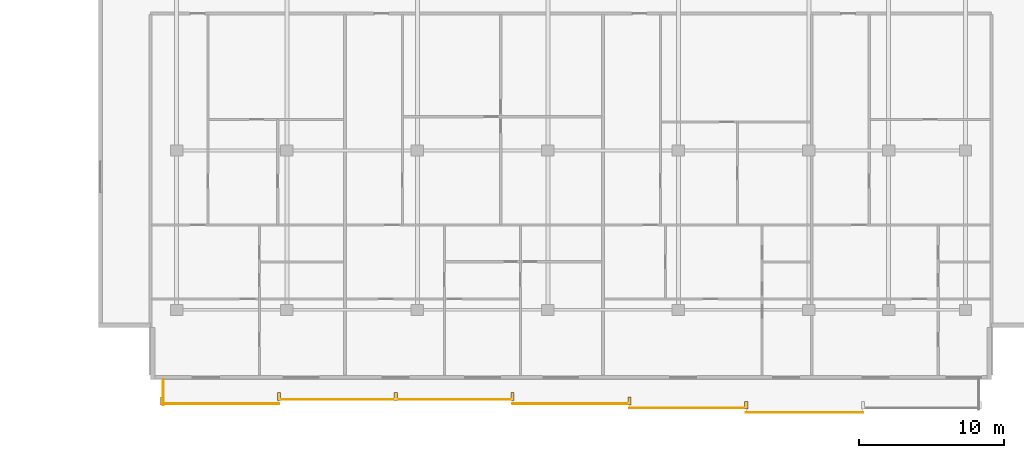
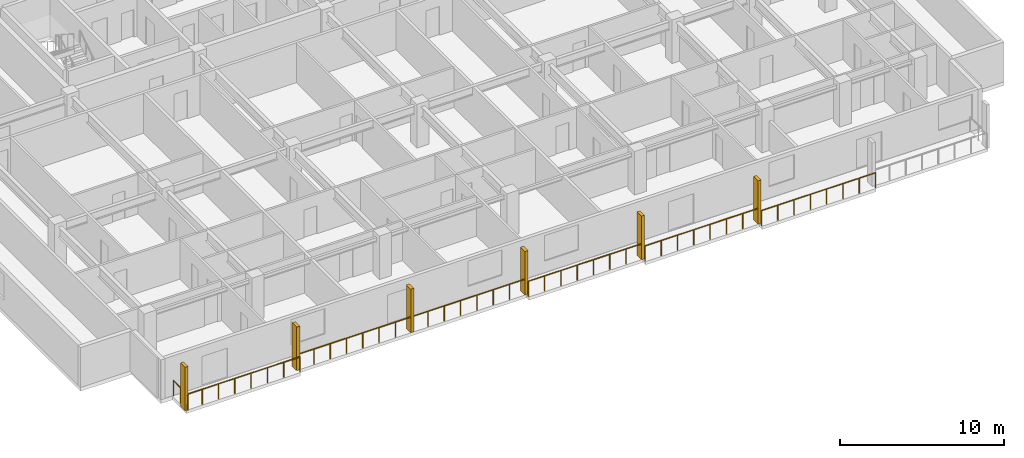
# One storey, part 18 of 22: 6 railings, 6 shading devices.
"""IFC4 building model written with IfcOpenShell, lengths in metres."""

from ifc_helpers import new_model, si_unit, direction, frame, origin, origin_2d, place, context, subcontext, project, spatial, rectangle, circle, extrude, material, type_object, element, save


model = new_model("IFC4")

# Units and contexts
model_context = context("Model", 3, precision=1e-05, world=origin(), true_north=direction((0.0, 1.0)))
body_context = subcontext(model_context, "Body", "Model", "MODEL_VIEW")
ifc_project = project(units=[si_unit("LENGTHUNIT", "METRE"), si_unit("AREAUNIT", "SQUARE_METRE"), si_unit("VOLUMEUNIT", "CUBIC_METRE"), si_unit("PLANEANGLEUNIT", "RADIAN"), si_unit("MASSUNIT", "GRAM", prefix="KILO")], contexts=[model_context])

# Site, building, storey
site_placement = place(None, origin())
site = spatial("IfcSite", under=ifc_project, at=site_placement, CompositionType="ELEMENT")
building_placement = place(site_placement, origin())
building = spatial("IfcBuilding", under=site, at=building_placement, Name="Korimba Cascade Residences", CompositionType="ELEMENT")
storey_placement = place(building_placement, frame((0.0, 0.0, 87.300048828125)))
storey = spatial("IfcBuildingStorey", under=building, at=storey_placement, Name="L24", CompositionType="ELEMENT", Elevation=87.300048828125)

# Railings
ifc_material_1 = material(Name="Laminated Glass and Bronze Balustrade", Category="glass")
railing_type = type_object("IfcRailingType", Name="RLG-LOG-1150", PredefinedType="BALUSTRADE", material=ifc_material_1)
railing_1_placement = place(storey_placement, frame((73.5, -10.669921875, 0.0)))
element("IfcRailing", 1, at=railing_1_placement, inside=storey, type_object=railing_type, Name="L24 Perimeter Guardrail RLG-L24-T2-LOG-01", PredefinedType="BALUSTRADE", context=body_context, shape_type="SweptSolid", body=[
    extrude(circle(Radius=0.02392578125, at=origin_2d()), frame((0.0, 0.0, 1.1259765625), z_axis=(1.0, 0.0, 0.0), x_axis=(0.0, 1.0, 0.0)), (0.0, 0.0, 1.0), 8.05712890625),
    extrude(circle(Radius=0.02099609375, at=origin_2d()), origin(), (0.0, 0.0, 1.0), 1.101806640625),
    extrude(circle(Radius=0.02099609375, at=origin_2d()), frame((1.151123046875, 0.0, 0.0)), (0.0, 0.0, 1.0), 1.101806640625),
    extrude(circle(Radius=0.02099609375, at=origin_2d()), frame((2.302001953125, 0.0, 0.0)), (0.0, 0.0, 1.0), 1.101806640625),
    extrude(circle(Radius=0.02099609375, at=origin_2d()), frame((3.453125, 0.0, 0.0)), (0.0, 0.0, 1.0), 1.101806640625),
    extrude(circle(Radius=0.02099609375, at=origin_2d()), frame((4.60400390625, 0.0, 0.0)), (0.0, 0.0, 1.0), 1.101806640625),
    extrude(circle(Radius=0.02099609375, at=origin_2d()), frame((5.755126953125, 0.0, 0.0)), (0.0, 0.0, 1.0), 1.101806640625),
    extrude(circle(Radius=0.02099609375, at=origin_2d()), frame((6.906005859375, 0.0, 0.0)), (0.0, 0.0, 1.0), 1.101806640625),
    extrude(circle(Radius=0.02099609375, at=origin_2d()), frame((8.05712890625, 0.0, 0.0)), (0.0, 0.0, 1.0), 1.101806640625),
])
railing_2_placement = place(storey_placement, frame((81.55712890625, -10.3701171875, 0.0)))
element("IfcRailing", 2, at=railing_2_placement, inside=storey, type_object=railing_type, Name="L24 Perimeter Guardrail RLG-L24-T2-LOG-02", PredefinedType="BALUSTRADE", context=body_context, shape_type="SweptSolid", body=[
    extrude(circle(Radius=0.02392578125, at=origin_2d()), frame((0.0, 0.0, 1.1259765625), z_axis=(1.0, 0.0, 0.0), x_axis=(0.0, 1.0, 0.0)), (0.0, 0.0, 1.0), 16.1142578125),
    extrude(circle(Radius=0.02099609375, at=origin_2d()), origin(), (0.0, 0.0, 1.0), 1.101806640625),
    extrude(circle(Radius=0.02099609375, at=origin_2d()), frame((1.151123046875, 0.0, 0.0)), (0.0, 0.0, 1.0), 1.101806640625),
    extrude(circle(Radius=0.02099609375, at=origin_2d()), frame((2.302001953125, 0.0, 0.0)), (0.0, 0.0, 1.0), 1.101806640625),
    extrude(circle(Radius=0.02099609375, at=origin_2d()), frame((3.453125, 0.0, 0.0)), (0.0, 0.0, 1.0), 1.101806640625),
    extrude(circle(Radius=0.02099609375, at=origin_2d()), frame((4.60400390625, 0.0, 0.0)), (0.0, 0.0, 1.0), 1.101806640625),
    extrude(circle(Radius=0.02099609375, at=origin_2d()), frame((5.755126953125, 0.0, 0.0)), (0.0, 0.0, 1.0), 1.101806640625),
    extrude(circle(Radius=0.02099609375, at=origin_2d()), frame((6.906005859375, 0.0, 0.0)), (0.0, 0.0, 1.0), 1.101806640625),
    extrude(circle(Radius=0.02099609375, at=origin_2d()), frame((8.05712890625, 0.0, 0.0)), (0.0, 0.0, 1.0), 1.101806640625),
    extrude(circle(Radius=0.02099609375, at=origin_2d()), frame((9.208251953125, 0.0, 0.0)), (0.0, 0.0, 1.0), 1.101806640625),
    extrude(circle(Radius=0.02099609375, at=origin_2d()), frame((10.359130859375, 0.0, 0.0)), (0.0, 0.0, 1.0), 1.101806640625),
    extrude(circle(Radius=0.02099609375, at=origin_2d()), frame((11.51025390625, 0.0, 0.0)), (0.0, 0.0, 1.0), 1.101806640625),
    extrude(circle(Radius=0.02099609375, at=origin_2d()), frame((12.6611328125, 0.0, 0.0)), (0.0, 0.0, 1.0), 1.101806640625),
    extrude(circle(Radius=0.02099609375, at=origin_2d()), frame((13.812255859375, 0.0, 0.0)), (0.0, 0.0, 1.0), 1.101806640625),
    extrude(circle(Radius=0.02099609375, at=origin_2d()), frame((14.963134765625, 0.0, 0.0)), (0.0, 0.0, 1.0), 1.101806640625),
    extrude(circle(Radius=0.02099609375, at=origin_2d()), frame((16.1142578125, 0.0, 0.0)), (0.0, 0.0, 1.0), 1.101806640625),
])
for number, where, name in (
    (3, (97.67138671875, -10.669921875, 0.0), "L24 Perimeter Guardrail RLG-L24-T2-LOG-03"),
    (4, (105.728515625, -10.969970703125, 0.0), "L24 Perimeter Guardrail RLG-L24-T2-LOG-04"),
):
    element("IfcRailing", number, at=place(storey_placement, frame(where)), inside=storey, type_object=railing_type, Name=name, PredefinedType="BALUSTRADE", context=body_context, shape_type="SweptSolid", body=[
        extrude(circle(Radius=0.02392578125, at=origin_2d()), frame((0.0, 0.0, 1.1259765625), z_axis=(1.0, 0.0, 0.0), x_axis=(0.0, 1.0, 0.0)), (0.0, 0.0, 1.0), 8.05712890625),
        extrude(circle(Radius=0.02099609375, at=origin_2d()), origin(), (0.0, 0.0, 1.0), 1.101806640625),
        extrude(circle(Radius=0.02099609375, at=origin_2d()), frame((1.151123046875, 0.0, 0.0)), (0.0, 0.0, 1.0), 1.101806640625),
        extrude(circle(Radius=0.02099609375, at=origin_2d()), frame((2.302001953125, 0.0, 0.0)), (0.0, 0.0, 1.0), 1.101806640625),
        extrude(circle(Radius=0.02099609375, at=origin_2d()), frame((3.453125, 0.0, 0.0)), (0.0, 0.0, 1.0), 1.101806640625),
        extrude(circle(Radius=0.02099609375, at=origin_2d()), frame((4.60400390625, 0.0, 0.0)), (0.0, 0.0, 1.0), 1.101806640625),
        extrude(circle(Radius=0.02099609375, at=origin_2d()), frame((5.755126953125, 0.0, 0.0)), (0.0, 0.0, 1.0), 1.101806640625),
        extrude(circle(Radius=0.02099609375, at=origin_2d()), frame((6.906005859375, 0.0, 0.0)), (0.0, 0.0, 1.0), 1.101806640625),
        extrude(circle(Radius=0.02099609375, at=origin_2d()), frame((8.05712890625, 0.0, 0.0)), (0.0, 0.0, 1.0), 1.101806640625),
    ])
railing_3_placement = place(storey_placement, frame((113.78564453125, -11.27001953125, 0.0)))
element("IfcRailing", 5, at=railing_3_placement, inside=storey, type_object=railing_type, Name="L24 Perimeter Guardrail RLG-L24-T2-LOG-05", PredefinedType="BALUSTRADE", context=body_context, shape_type="SweptSolid", body=[
    extrude(circle(Radius=0.02392578125, at=origin_2d()), frame((0.0, 0.0, 1.1259765625), z_axis=(1.0, 0.0, 0.0), x_axis=(0.0, 1.0, 0.0)), (0.0, 0.0, 1.0), 8.057373046875),
    extrude(circle(Radius=0.02099609375, at=origin_2d()), origin(), (0.0, 0.0, 1.0), 1.101806640625),
    extrude(circle(Radius=0.02099609375, at=origin_2d()), frame((1.151123046875, 0.0, 0.0)), (0.0, 0.0, 1.0), 1.101806640625),
    extrude(circle(Radius=0.02099609375, at=origin_2d()), frame((2.302001953125, 0.0, 0.0)), (0.0, 0.0, 1.0), 1.101806640625),
    extrude(circle(Radius=0.02099609375, at=origin_2d()), frame((3.453125, 0.0, 0.0)), (0.0, 0.0, 1.0), 1.101806640625),
    extrude(circle(Radius=0.02099609375, at=origin_2d()), frame((4.604248046875, 0.0, 0.0)), (0.0, 0.0, 1.0), 1.101806640625),
    extrude(circle(Radius=0.02099609375, at=origin_2d()), frame((5.75537109375, 0.0, 0.0)), (0.0, 0.0, 1.0), 1.101806640625),
    extrude(circle(Radius=0.02099609375, at=origin_2d()), frame((6.90625, 0.0, 0.0)), (0.0, 0.0, 1.0), 1.101806640625),
    extrude(circle(Radius=0.02099609375, at=origin_2d()), frame((8.057373046875, 0.0, 0.0)), (0.0, 0.0, 1.0), 1.101806640625),
])
railing_4_placement = place(storey_placement, frame((73.580078125, -9.0, 0.0)))
element("IfcRailing", 6, at=railing_4_placement, inside=storey, type_object=railing_type, Name="L24 Perimeter Guardrail RLG-L24-T2-LOG-08", PredefinedType="BALUSTRADE", context=body_context, shape_type="SweptSolid", body=[
    extrude(circle(Radius=0.02392578125, at=origin_2d()), frame((0.0, 0.0, 1.1259765625), z_axis=(0.0, -1.0, 0.0), x_axis=(1.0, 0.0, 0.0)), (0.0, 0.0, 1.0), 1.75),
    extrude(circle(Radius=0.02099609375, at=origin_2d()), origin(), (0.0, 0.0, 1.0), 1.101806640625),
    extrude(circle(Radius=0.02099609375, at=origin_2d()), frame((0.0, -0.875, 0.0)), (0.0, 0.0, 1.0), 1.101806640625),
    extrude(circle(Radius=0.02099609375, at=origin_2d()), frame((0.0, -1.75, 0.0)), (0.0, 0.0, 1.0), 1.101806640625),
])

# Shading devices
ifc_material_2 = material(Name="Honed Sandstone Precast Fin", Category="masonry")
shading_device_type = type_object("IfcShadingDeviceType", Name="SHD-FIN-550", PredefinedType="USERDEFINED", material=ifc_material_2)
for number, where, z_axis, x_axis, name in (
    (7, (73.5, -10.47509765625, 0.0), (0.0, 0.0, 1.0), (1.0, 0.0, 0.0), "L24 T2 Warm-Stone Loggia Fin 1"),
    (8, (81.55712890625, -10.175048828125, 0.0), (0.0, 0.0, 1.0), (1.0, 0.0, 0.0), "L24 T2 Warm-Stone Loggia Fin 2"),
    (9, (89.6142578125, -10.175048828125, 0.0), (0.0, 0.0, 1.0), (1.0, 0.0, 0.0), "L24 T2 Warm-Stone Loggia Fin 3"),
    (10, (97.67138671875, -10.175048828125, 0.0), (0.0, 0.0, 1.0), (1.0, 0.0, 0.0), "L24 T2 Warm-Stone Loggia Fin 4"),
    (11, (105.728515625, -10.47509765625, 0.0), (0.0, 0.0, 1.0), (1.0, 0.0, 0.0), "L24 T2 Warm-Stone Loggia Fin 5"),
    (12, (113.78564453125, -10.77490234375, 0.0), (0.0, 0.0, 1.0), (1.0, 0.0, 0.0), "L24 T2 Warm-Stone Loggia Fin 6"),
):
    element("IfcShadingDevice", number, at=place(storey_placement, frame(where, z_axis=z_axis, x_axis=x_axis)), inside=storey, type_object=shading_device_type, Name=name, ObjectType="FIN", PredefinedType="USERDEFINED", context=body_context, shape_type="SweptSolid", body=[
        extrude(rectangle(XDim=0.219970703125, YDim=0.550048828125, at=origin_2d()), origin(), (0.0, 0.0, 1.0), 3.25),
    ])

save(model, "model.ifc")
